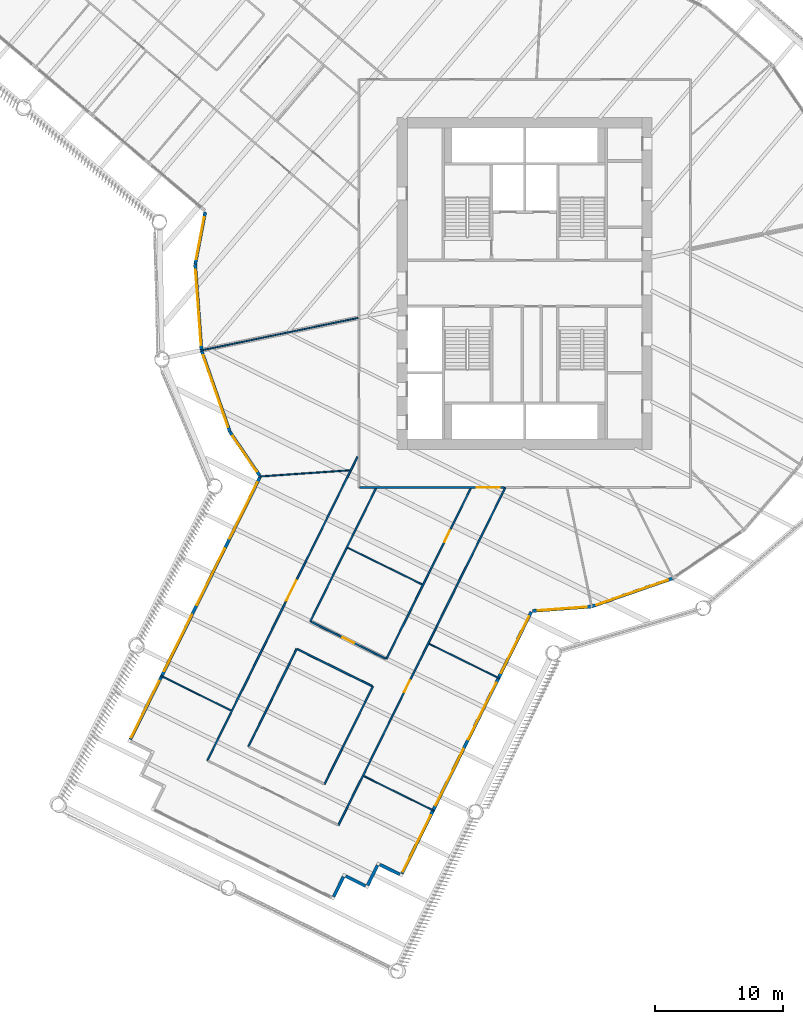
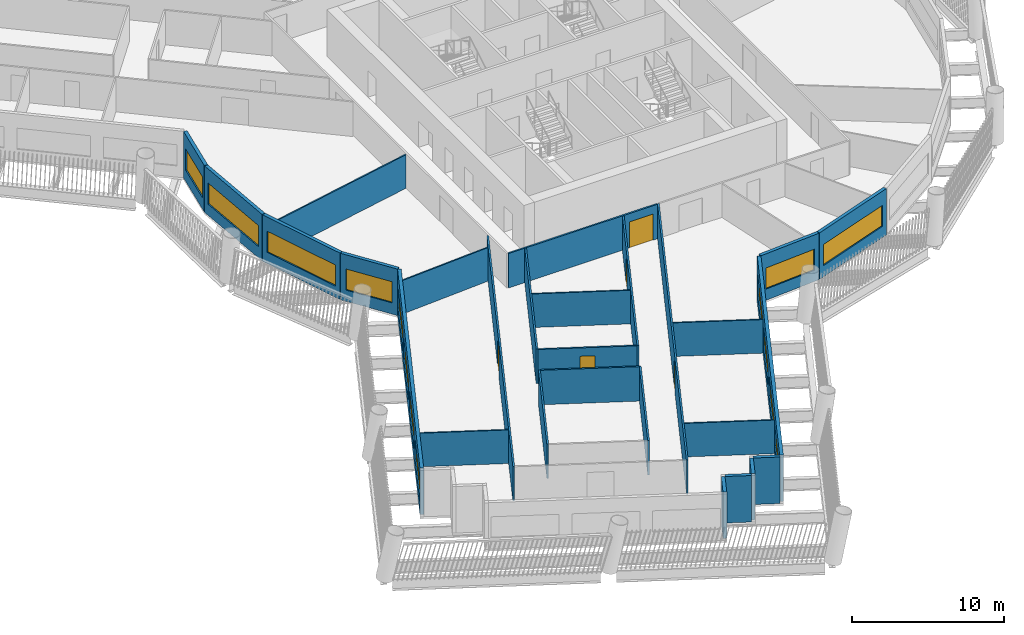
# One storey, part 3 of 16: 27 walls, 14 windows, 5 doors, 19 openings.
"""IFC4 building model written with IfcOpenShell, lengths in metres."""

from ifc_helpers import new_model, si_unit, direction, frame, frame_2d, origin, place, context, subcontext, project, spatial, rectangle, extrude, material, layer, layer_set, type_object, element, fill, save


model = new_model("IFC4")

# Units and contexts
model_context = context("Model", 3, precision=1e-05, world=origin(), true_north=direction((0.0, 1.0)))
body_context = subcontext(model_context, "Body", "Model", "MODEL_VIEW")
ifc_project = project(units=[si_unit("LENGTHUNIT", "METRE"), si_unit("AREAUNIT", "SQUARE_METRE"), si_unit("VOLUMEUNIT", "CUBIC_METRE"), si_unit("PLANEANGLEUNIT", "RADIAN"), si_unit("MASSUNIT", "GRAM", prefix="KILO")], contexts=[model_context])

# Site, building, storey
site_placement = place(None, origin())
site = spatial("IfcSite", under=ifc_project, at=site_placement, CompositionType="ELEMENT")
building_placement = place(site_placement, origin())
building = spatial("IfcBuilding", under=site, at=building_placement, Name="Tarsis Ring Headquarters", CompositionType="ELEMENT")
storey_placement = place(building_placement, frame((0.0, 0.0, 104.5)))
storey = spatial("IfcBuildingStorey", under=building, at=storey_placement, Name="L23", CompositionType="ELEMENT", Elevation=104.5)

# Walls
ifc_material_1 = material(Name="Gypsum board on steel studs", Category="steel")
ifc_layer_1 = layer(ifc_material_1, 0.10009765625)
ifc_layer_set_1 = layer_set([ifc_layer_1], Name="FL partition 100 unrated")
wall_type_1 = type_object("IfcWallType", Name="FL partition 100 unrated", PredefinedType="PARTITIONING", material=ifc_layer_set_1)
wall_1_placement = place(storey_placement, frame((-25.40869140625, -5.261962890625, 0.0), z_axis=(0.0, 0.0, 1.0), x_axis=(0.979220372677, 0.202799067389, 0.0)))
element("IfcWall", 1, at=wall_1_placement, inside=storey, type_object=wall_type_1, Name="Partition PW3", PredefinedType="PARTITIONING", context=body_context, shape_type="SweptSolid", body=[
    extrude(rectangle(XDim=12.60205078125, YDim=0.10009765625, at=frame_2d((6.301025390625, 0.0))), origin(), (0.0, 0.0, 1.0), 2.699951171875),
])
wall_2_placement = place(storey_placement, frame((-20.783447265625, -15.1376953125, 0.0), z_axis=(0.0, 0.0, 1.0), x_axis=(0.997623139767, 0.068906247909, 0.0)))
element("IfcWall", 2, at=wall_2_placement, inside=storey, type_object=wall_type_1, Name="Partition PW3", PredefinedType="PARTITIONING", context=body_context, shape_type="SweptSolid", body=[
    extrude(rectangle(XDim=7.0791015625, YDim=0.10009765625, at=frame_2d((3.53955078125, 0.0))), origin(), (0.0, 0.0, 1.0), 2.699951171875),
])
wall_3_placement = place(storey_placement, frame((-13.875244140625, -20.716796875, 0.0), z_axis=(0.0, 0.0, 1.0), x_axis=(0.896477196492, -0.443089873693, 0.0)))
element("IfcWall", 3, at=wall_3_placement, inside=storey, type_object=wall_type_1, Name="Partition PW3", PredefinedType="PARTITIONING", context=body_context, shape_type="SweptSolid", body=[
    extrude(rectangle(XDim=6.52001953125, YDim=0.10009765625, at=frame_2d((3.260009765625, 0.0))), origin(), (0.0, 0.0, 1.0), 2.699951171875),
])
wall_4_placement = place(storey_placement, frame((-7.489990234375, -28.2451171875, 0.0), z_axis=(0.0, 0.0, 1.0), x_axis=(0.896474033045, -0.443096274049, 0.0)))
element("IfcWall", 4, at=wall_4_placement, inside=storey, type_object=wall_type_1, Name="Partition PW3", PredefinedType="PARTITIONING", context=body_context, shape_type="SweptSolid", body=[
    extrude(rectangle(XDim=6.150146484375, YDim=0.10009765625, at=frame_2d((3.0751953125, 0.0))), origin(), (0.0, 0.0, 1.0), 2.699951171875),
])
for number, where, z_axis, x_axis, name in (
    (5, (-12.6162109375, -38.617431640625, 0.0), (0.0, 0.0, 1.0), (0.896489801309, -0.443064370208, 0.0), "Partition PW3"),
    (6, (-28.52880859375, -30.7529296875, 0.0), (0.0, 0.0, 1.0), (0.896489801309, -0.443064370208, 0.0), "Partition PW3"),
):
    element("IfcWall", number, at=place(storey_placement, frame(where, z_axis=z_axis, x_axis=x_axis)), inside=storey, type_object=wall_type_1, Name=name, PredefinedType="PARTITIONING", context=body_context, shape_type="SweptSolid", body=[
        extrude(rectangle(XDim=6.14990234375, YDim=0.10009765625, at=frame_2d((3.074951171875, 0.0))), origin(), (0.0, 0.0, 1.0), 2.699951171875),
    ])

# Wall, opening, door
ifc_layer_2 = layer(ifc_material_1, 0.125)
ifc_layer_set_2 = layer_set([ifc_layer_2], Name="FL partition 125 EI 60 H2770")
wall_type_2 = type_object("IfcWallType", Name="FL partition 125 EI 60 H2770", PredefinedType="PARTITIONING", material=ifc_layer_set_2)
wall_5_placement = place(storey_placement, frame((-14.60205078125, -42.477294921875, 0.0), z_axis=(0.0, 0.0, 1.0), x_axis=(0.443072368758, 0.896485848211, 0.0)))
wall_5 = element("IfcWall", 7, at=wall_5_placement, inside=storey, type_object=wall_type_2, Name="Partition PW1", PredefinedType="PARTITIONING", context=body_context, shape_type="SweptSolid", body=[
    extrude(rectangle(XDim=29.534423828125, YDim=0.125, at=frame_2d((14.76708984375, 0.0))), origin(), (0.0, 0.0, 1.0), 2.77001953125),
])
opening_1_placement = place(wall_5_placement, frame((11.64990234375, 0.0, 0.0)))
opening_1 = element("IfcOpeningElement", 8, at=opening_1_placement, cuts=wall_5, Name="Opening D23.12", PredefinedType="OPENING", context=body_context, shape_type="SweptSolid", body=[
    extrude(rectangle(XDim=1.0, YDim=2.10009765625, at=frame_2d((0.5, 1.050048828125))), frame((0.0, 0.072509765625, 0.0), z_axis=(0.0, -1.0, 0.0), x_axis=(1.0, 0.0, 0.0)), (0.0, 0.0, 1.0), 0.14501953125),
])
ifc_material_2 = material(Name="Fire-rated timber door leaf in steel frame", Category="steel")
door_type_1 = type_object("IfcDoorType", Name="FL door FD60-1000", OperationType="NOTDEFINED", PredefinedType="DOOR", material=ifc_material_2)
door_1_placement = place(opening_1_placement, origin())
door_1 = element("IfcDoor", 9, at=door_1_placement, inside=storey, type_object=door_type_1, Name="Door D23.12", OperationType="SINGLE_SWING_LEFT", OverallHeight=2.10009765625, OverallWidth=1.0, PredefinedType="DOOR", context=body_context, shape_type="SweptSolid", body=[
    extrude(rectangle(XDim=1.0, YDim=2.10009765625, at=frame_2d((0.5, 1.050048828125))), frame((0.0, 0.02490234375, 0.0), z_axis=(0.0, -1.0, 0.0), x_axis=(1.0, 0.0, 0.0)), (0.0, 0.0, 1.0), 0.050048828125),
])
fill(opening_1, door_1)

wall_6_placement = place(storey_placement, frame((-24.875732421875, -37.399658203125, 0.0), z_axis=(0.0, 0.0, 1.0), x_axis=(0.443076578516, 0.8964837676, 0.0)))
wall_6 = element("IfcWall", 10, at=wall_6_placement, inside=storey, type_object=wall_type_2, Name="Partition PW1", PredefinedType="PARTITIONING", context=body_context, shape_type="SweptSolid", body=[
    extrude(rectangle(XDim=26.563232421875, YDim=0.125, at=frame_2d((13.28173828125, 0.0))), origin(), (0.0, 0.0, 1.0), 2.77001953125),
])
opening_2_placement = place(wall_6_placement, frame((13.960693359375, 0.0, 0.0)))
opening_2 = element("IfcOpeningElement", 11, at=opening_2_placement, cuts=wall_6, Name="Opening D23.14", PredefinedType="OPENING", context=body_context, shape_type="SweptSolid", body=[
    extrude(rectangle(XDim=1.800048828125, YDim=2.10009765625, at=frame_2d((0.89990234375, 1.050048828125))), frame((0.0, 0.072509765625, 0.0), z_axis=(0.0, -1.0, 0.0), x_axis=(1.0, 0.0, 0.0)), (0.0, 0.0, 1.0), 0.14501953125),
])
door_type_2 = type_object("IfcDoorType", Name="FL door FD60-1800", OperationType="DOUBLE_DOOR_SINGLE_SWING", PredefinedType="DOOR", material=ifc_material_2)
door_2_placement = place(opening_2_placement, origin())
door_2 = element("IfcDoor", 12, at=door_2_placement, inside=storey, type_object=door_type_2, Name="Door D23.14", OperationType="DOUBLE_DOOR_SINGLE_SWING", OverallHeight=2.10009765625, OverallWidth=1.800048828125, PredefinedType="DOOR", context=body_context, shape_type="SweptSolid", body=[
    extrude(rectangle(XDim=1.800048828125, YDim=2.10009765625, at=frame_2d((0.89990234375, 1.050048828125))), frame((0.0, 0.02490234375, 0.0), z_axis=(0.0, -1.0, 0.0), x_axis=(1.0, 0.0, 0.0)), (0.0, 0.0, 1.0), 0.050048828125),
])
fill(opening_2, door_2)

wall_7_placement = place(storey_placement, frame((-12.93994140625, -16.0, 0.0), z_axis=(0.0, 0.0, 1.0), x_axis=(1.0, 0.0, 0.0)))
wall_7 = element("IfcWall", 13, at=wall_7_placement, inside=storey, type_object=wall_type_2, Name="Partition PW1", PredefinedType="PARTITIONING", context=body_context, shape_type="SweptSolid", body=[
    extrude(rectangle(XDim=11.3232421875, YDim=0.125, at=frame_2d((5.66162109375, 0.0))), origin(), (0.0, 0.0, 1.0), 2.77001953125),
])
opening_3_placement = place(wall_7_placement, frame((9.185302734375, 0.0, 0.0)))
opening_3 = element("IfcOpeningElement", 14, at=opening_3_placement, cuts=wall_7, Name="Opening D23.23", PredefinedType="OPENING", context=body_context, shape_type="SweptSolid", body=[
    extrude(rectangle(XDim=1.800048828125, YDim=2.10009765625, at=frame_2d((0.89990234375, 1.050048828125))), frame((0.0, 0.072509765625, 0.0), z_axis=(0.0, -1.0, 0.0), x_axis=(1.0, 0.0, 0.0)), (0.0, 0.0, 1.0), 0.14501953125),
])
door_3_placement = place(opening_3_placement, origin())
door_3 = element("IfcDoor", 15, at=door_3_placement, inside=storey, type_object=door_type_2, Name="Door D23.23", OperationType="DOUBLE_DOOR_SINGLE_SWING", OverallHeight=2.10009765625, OverallWidth=1.800048828125, PredefinedType="DOOR", context=body_context, shape_type="SweptSolid", body=[
    extrude(rectangle(XDim=1.800048828125, YDim=2.10009765625, at=frame_2d((0.89990234375, 1.050048828125))), frame((0.0, 0.02490234375, 0.0), z_axis=(0.0, -1.0, 0.0), x_axis=(1.0, 0.0, 0.0)), (0.0, 0.0, 1.0), 0.050048828125),
])
fill(opening_3, door_3)

wall_8_placement = place(storey_placement, frame((-10.83837890625, -29.44580078125, 0.0), z_axis=(0.0, 0.0, 1.0), x_axis=(0.443062296572, 0.896490826142, 0.0)))
wall_8 = element("IfcWall", 16, at=wall_8_placement, inside=storey, type_object=wall_type_2, Name="Partition PW1", PredefinedType="PARTITIONING", context=body_context, shape_type="SweptSolid", body=[
    extrude(rectangle(XDim=14.908203125, YDim=0.125, at=frame_2d((7.4541015625, 0.0))), origin(), (0.0, 0.0, 1.0), 2.77001953125),
])
opening_4_placement = place(wall_8_placement, frame((10.2392578125, 0.0, 0.0)))
opening_4 = element("IfcOpeningElement", 17, at=opening_4_placement, cuts=wall_8, Name="Opening D23.21", PredefinedType="OPENING", context=body_context, shape_type="SweptSolid", body=[
    extrude(rectangle(XDim=1.0, YDim=2.10009765625, at=frame_2d((0.5, 1.050048828125))), frame((0.0, 0.072509765625, 0.0), z_axis=(0.0, -1.0, 0.0), x_axis=(1.0, 0.0, 0.0)), (0.0, 0.0, 1.0), 0.14501953125),
])
door_4_placement = place(opening_4_placement, origin())
door_4 = element("IfcDoor", 18, at=door_4_placement, inside=storey, type_object=door_type_1, Name="Door D23.21", OperationType="SINGLE_SWING_RIGHT", OverallHeight=2.10009765625, OverallWidth=1.0, PredefinedType="DOOR", context=body_context, shape_type="SweptSolid", body=[
    extrude(rectangle(XDim=1.0, YDim=2.10009765625, at=frame_2d((0.5, 1.050048828125))), frame((0.0, 0.02490234375, 0.0), z_axis=(0.0, -1.0, 0.0), x_axis=(1.0, 0.0, 0.0)), (0.0, 0.0, 1.0), 0.050048828125),
])
fill(opening_4, door_4)

# Walls
wall_9_placement = place(storey_placement, frame((-16.80908203125, -26.494873046875, 0.0), z_axis=(0.0, 0.0, 1.0), x_axis=(0.443072739744, 0.896485664858, 0.0)))
element("IfcWall", 19, at=wall_9_placement, inside=storey, type_object=wall_type_2, Name="Partition PW1", PredefinedType="PARTITIONING", context=body_context, shape_type="SweptSolid", body=[
    extrude(rectangle(XDim=11.616455078125, YDim=0.125, at=frame_2d((5.80810546875, 0.0))), origin(), (0.0, 0.0, 1.0), 2.77001953125),
])
wall_10_placement = place(storey_placement, frame((-21.660888671875, -36.3115234375, 0.0), z_axis=(0.0, 0.0, 1.0), x_axis=(0.44307418156, 0.896484952263, 0.0)))
element("IfcWall", 20, at=wall_10_placement, inside=storey, type_object=wall_type_2, Name="Partition PW1", PredefinedType="PARTITIONING", context=body_context, shape_type="SweptSolid", body=[
    extrude(rectangle(XDim=8.550048828125, YDim=0.125, at=frame_2d((4.27490234375, 0.0))), origin(), (0.0, 0.0, 1.0), 2.77001953125),
])
wall_11_placement = place(storey_placement, frame((-15.690185546875, -39.26220703125, 0.0), z_axis=(0.0, 0.0, 1.0), x_axis=(0.443085523776, 0.896479346455, 0.0)))
element("IfcWall", 21, at=wall_11_placement, inside=storey, type_object=wall_type_2, Name="Partition PW1", PredefinedType="PARTITIONING", context=body_context, shape_type="SweptSolid", body=[
    extrude(rectangle(XDim=8.5498046875, YDim=0.125, at=frame_2d((4.27490234375, 0.0))), origin(), (0.0, 0.0, 1.0), 2.77001953125),
])

# Wall, opening, door
wall_12_placement = place(storey_placement, frame((-16.75537109375, -26.521484375, 0.0), z_axis=(0.0, 0.0, 1.0), x_axis=(0.896485722562, -0.443072622989, 0.0)))
wall_12 = element("IfcWall", 22, at=wall_12_placement, inside=storey, type_object=wall_type_2, Name="Partition PW1", PredefinedType="PARTITIONING", context=body_context, shape_type="SweptSolid", body=[
    extrude(rectangle(XDim=6.5400390625, YDim=0.125, at=frame_2d((3.27001953125, 0.0))), origin(), (0.0, 0.0, 1.0), 2.77001953125),
])
opening_5_placement = place(wall_12_placement, frame((2.77001953125, 0.0, 0.0)))
opening_5 = element("IfcOpeningElement", 23, at=opening_5_placement, cuts=wall_12, Name="Opening D23.22", PredefinedType="OPENING", context=body_context, shape_type="SweptSolid", body=[
    extrude(rectangle(XDim=1.0, YDim=2.10009765625, at=frame_2d((0.5, 1.050048828125))), frame((0.0, 0.072509765625, 0.0), z_axis=(0.0, -1.0, 0.0), x_axis=(1.0, 0.0, 0.0)), (0.0, 0.0, 1.0), 0.14501953125),
])
door_5_placement = place(opening_5_placement, origin())
door_5 = element("IfcDoor", 24, at=door_5_placement, inside=storey, type_object=door_type_1, Name="Door D23.22", OperationType="SINGLE_SWING_LEFT", OverallHeight=2.10009765625, OverallWidth=1.0, PredefinedType="DOOR", context=body_context, shape_type="SweptSolid", body=[
    extrude(rectangle(XDim=1.0, YDim=2.10009765625, at=frame_2d((0.5, 1.050048828125))), frame((0.0, 0.02490234375, 0.0), z_axis=(0.0, -1.0, 0.0), x_axis=(1.0, 0.0, 0.0)), (0.0, 0.0, 1.0), 0.050048828125),
])
fill(opening_5, door_5)

# Wall
wall_13_placement = place(storey_placement, frame((-17.818603515625, -28.673095703125, 0.0), z_axis=(0.0, 0.0, 1.0), x_axis=(0.89647839377, -0.443087451306, 0.0)))
element("IfcWall", 25, at=wall_13_placement, inside=storey, type_object=wall_type_2, Name="Partition PW1", PredefinedType="PARTITIONING", context=body_context, shape_type="SweptSolid", body=[
    extrude(rectangle(XDim=6.539794921875, YDim=0.125, at=frame_2d((3.27001953125, 0.0))), origin(), (0.0, 0.0, 1.0), 2.77001953125),
])

# Wall, opening, window
ifc_material_3 = material(Name="Terracotta clad insulated panel wall", Category="masonry")
ifc_layer_3 = layer(ifc_material_3, 0.25)
ifc_layer_set_3 = layer_set([ifc_layer_3], Name="Facade wall terracotta panel 250")
wall_type_3 = type_object("IfcWallType", Name="Facade wall terracotta panel 250", PredefinedType="STANDARD", material=ifc_layer_set_3)
wall_14_placement = place(storey_placement, frame((-25.048828125, 5.58935546875, 0.0), z_axis=(0.0, 0.0, 1.0), x_axis=(-0.187390046147, -0.982285585054, 0.0)))
wall_14 = element("IfcWall", 26, at=wall_14_placement, inside=storey, type_object=wall_type_3, Name="External wall L23-02", PredefinedType="STANDARD", context=body_context, shape_type="SweptSolid", body=[
    extrude(rectangle(XDim=4.157470703125, YDim=0.25, at=frame_2d((2.07861328125, 0.0))), origin(), (0.0, 0.0, 1.0), 3.739990234375),
])
opening_6_placement = place(wall_14_placement, frame((0.420166015625, 0.0, 0.89990234375)))
opening_6 = element("IfcOpeningElement", 27, at=opening_6_placement, cuts=wall_14, Name="Opening WN01", PredefinedType="OPENING", context=body_context, shape_type="SweptSolid", body=[
    extrude(rectangle(XDim=3.35009765625, YDim=1.699951171875, at=frame_2d((1.675048828125, 0.85009765625))), frame((0.0, 0.135009765625, 0.0), z_axis=(0.0, -1.0, 0.0), x_axis=(1.0, 0.0, 0.0)), (0.0, 0.0, 1.0), 0.27001953125),
])
ifc_material_4 = material(Name="Aluminium framed double glazing", Category="aluminium")
window_type_1 = type_object("IfcWindowType", Name="Facade window 3350 x 1700", PartitioningType="SINGLE_PANEL", PredefinedType="WINDOW", material=ifc_material_4)
window_1_placement = place(opening_6_placement, origin())
window_1 = element("IfcWindow", 28, at=window_1_placement, inside=storey, type_object=window_type_1, Name="Window L23-02.1", OverallHeight=1.699951171875, OverallWidth=3.35009765625, PartitioningType="SINGLE_PANEL", PredefinedType="WINDOW", context=body_context, shape_type="SweptSolid", body=[
    extrude(rectangle(XDim=3.35009765625, YDim=1.699951171875, at=frame_2d((1.675048828125, 0.85009765625))), frame((0.0, 0.030029296875, 0.0), z_axis=(0.0, -1.0, 0.0), x_axis=(1.0, 0.0, 0.0)), (0.0, 0.0, 1.0), 0.06005859375),
])
fill(opening_6, window_1)

wall_15_placement = place(storey_placement, frame((-25.829833984375, 1.472900390625, 0.0), z_axis=(0.0, 0.0, 1.0), x_axis=(0.073226779194, -0.997315315639, 0.0)))
wall_15 = element("IfcWall", 29, at=wall_15_placement, inside=storey, type_object=wall_type_3, Name="External wall L23-03", PredefinedType="STANDARD", context=body_context, shape_type="SweptSolid", body=[
    extrude(rectangle(XDim=6.721435546875, YDim=0.25, at=frame_2d((3.36083984375, 0.0))), origin(), (0.0, 0.0, 1.0), 3.739990234375),
])
opening_7_placement = place(wall_15_placement, frame((0.3857421875, 0.0, 0.89990234375)))
opening_7 = element("IfcOpeningElement", 30, at=opening_7_placement, cuts=wall_15, Name="Opening WN07", PredefinedType="OPENING", context=body_context, shape_type="SweptSolid", body=[
    extrude(rectangle(XDim=5.949951171875, YDim=1.699951171875, at=frame_2d((2.97509765625, 0.85009765625))), frame((0.0, 0.135009765625, 0.0), z_axis=(0.0, -1.0, 0.0), x_axis=(1.0, 0.0, 0.0)), (0.0, 0.0, 1.0), 0.27001953125),
])
window_type_2 = type_object("IfcWindowType", Name="Facade window 5950 x 1700", PartitioningType="SINGLE_PANEL", PredefinedType="WINDOW", material=ifc_material_4)
window_2_placement = place(opening_7_placement, origin())
window_2 = element("IfcWindow", 31, at=window_2_placement, inside=storey, type_object=window_type_2, Name="Window L23-03.1", OverallHeight=1.699951171875, OverallWidth=5.949951171875, PartitioningType="SINGLE_PANEL", PredefinedType="WINDOW", context=body_context, shape_type="SweptSolid", body=[
    extrude(rectangle(XDim=5.949951171875, YDim=1.699951171875, at=frame_2d((2.97509765625, 0.85009765625))), frame((0.0, 0.030029296875, 0.0), z_axis=(0.0, -1.0, 0.0), x_axis=(1.0, 0.0, 0.0)), (0.0, 0.0, 1.0), 0.06005859375),
])
fill(opening_7, window_2)

wall_16_placement = place(storey_placement, frame((-25.330810546875, -5.262451171875, 0.0), z_axis=(0.0, 0.0, 1.0), x_axis=(0.3288615303, -0.944378151954, 0.0)))
wall_16 = element("IfcWall", 32, at=wall_16_placement, inside=storey, type_object=wall_type_3, Name="External wall L23-04", PredefinedType="STANDARD", context=body_context, shape_type="SweptSolid", body=[
    extrude(rectangle(XDim=6.721435546875, YDim=0.25, at=frame_2d((3.36083984375, 0.0))), origin(), (0.0, 0.0, 1.0), 3.739990234375),
])
opening_8_placement = place(wall_16_placement, frame((0.3857421875, 0.0, 0.89990234375)))
opening_8 = element("IfcOpeningElement", 33, at=opening_8_placement, cuts=wall_16, Name="Opening WN07", PredefinedType="OPENING", context=body_context, shape_type="SweptSolid", body=[
    extrude(rectangle(XDim=5.949951171875, YDim=1.699951171875, at=frame_2d((2.97509765625, 0.85009765625))), frame((0.0, 0.135009765625, 0.0), z_axis=(0.0, -1.0, 0.0), x_axis=(1.0, 0.0, 0.0)), (0.0, 0.0, 1.0), 0.27001953125),
])
window_3_placement = place(opening_8_placement, origin())
window_3 = element("IfcWindow", 34, at=window_3_placement, inside=storey, type_object=window_type_2, Name="Window L23-04.1", OverallHeight=1.699951171875, OverallWidth=5.949951171875, PartitioningType="SINGLE_PANEL", PredefinedType="WINDOW", context=body_context, shape_type="SweptSolid", body=[
    extrude(rectangle(XDim=5.949951171875, YDim=1.699951171875, at=frame_2d((2.97509765625, 0.85009765625))), frame((0.0, 0.030029296875, 0.0), z_axis=(0.0, -1.0, 0.0), x_axis=(1.0, 0.0, 0.0)), (0.0, 0.0, 1.0), 0.06005859375),
])
fill(opening_8, window_3)

wall_17_placement = place(storey_placement, frame((-23.105712890625, -11.63916015625, 0.0), z_axis=(0.0, 0.0, 1.0), x_axis=(0.562077106864, -0.827084835999, 0.0)))
wall_17 = element("IfcWall", 35, at=wall_17_placement, inside=storey, type_object=wall_type_3, Name="External wall L23-05", PredefinedType="STANDARD", context=body_context, shape_type="SweptSolid", body=[
    extrude(rectangle(XDim=4.15771484375, YDim=0.25, at=frame_2d((2.078857421875, 0.0))), origin(), (0.0, 0.0, 1.0), 3.739990234375),
])
opening_9_placement = place(wall_17_placement, frame((0.38720703125, 0.0, 0.89990234375)))
opening_9 = element("IfcOpeningElement", 36, at=opening_9_placement, cuts=wall_17, Name="Opening WN01", PredefinedType="OPENING", context=body_context, shape_type="SweptSolid", body=[
    extrude(rectangle(XDim=3.35009765625, YDim=1.699951171875, at=frame_2d((1.675048828125, 0.85009765625))), frame((0.0, 0.135009765625, 0.0), z_axis=(0.0, -1.0, 0.0), x_axis=(1.0, 0.0, 0.0)), (0.0, 0.0, 1.0), 0.27001953125),
])
window_4_placement = place(opening_9_placement, origin())
window_4 = element("IfcWindow", 37, at=window_4_placement, inside=storey, type_object=window_type_1, Name="Window L23-05.1", OverallHeight=1.699951171875, OverallWidth=3.35009765625, PartitioningType="SINGLE_PANEL", PredefinedType="WINDOW", context=body_context, shape_type="SweptSolid", body=[
    extrude(rectangle(XDim=3.35009765625, YDim=1.699951171875, at=frame_2d((1.675048828125, 0.85009765625))), frame((0.0, 0.030029296875, 0.0), z_axis=(0.0, -1.0, 0.0), x_axis=(1.0, 0.0, 0.0)), (0.0, 0.0, 1.0), 0.06005859375),
])
fill(opening_9, window_4)

# Wall, openings, windows
wall_18_placement = place(storey_placement, frame((-20.76025390625, -15.20361328125, 0.0), z_axis=(0.0, 0.0, 1.0), x_axis=(-0.443071954294, -0.896486053053, 0.0)))
wall_18 = element("IfcWall", 38, at=wall_18_placement, inside=storey, type_object=wall_type_3, Name="External wall L23-06", PredefinedType="STANDARD", context=body_context, shape_type="SweptSolid", body=[
    extrude(rectangle(XDim=22.921875, YDim=0.25, at=frame_2d((11.4609375, 0.0))), origin(), (0.0, 0.0, 1.0), 3.739990234375),
])
opening_10_placement = place(wall_18_placement, frame((0.42138671875, 0.0, 0.89990234375)))
opening_10 = element("IfcOpeningElement", 39, at=opening_10_placement, cuts=wall_18, Name="Opening WN05", PredefinedType="OPENING", context=body_context, shape_type="SweptSolid", body=[
    extrude(rectangle(XDim=4.949951171875, YDim=1.699951171875, at=frame_2d((2.47509765625, 0.85009765625))), frame((0.0, 0.135009765625, 0.0), z_axis=(0.0, -1.0, 0.0), x_axis=(1.0, 0.0, 0.0)), (0.0, 0.0, 1.0), 0.27001953125),
])
opening_11_placement = place(wall_18_placement, frame((6.214599609375, 0.0, 0.89990234375)))
opening_11 = element("IfcOpeningElement", 40, at=opening_11_placement, cuts=wall_18, Name="Opening WN05", PredefinedType="OPENING", context=body_context, shape_type="SweptSolid", body=[
    extrude(rectangle(XDim=4.949951171875, YDim=1.699951171875, at=frame_2d((2.47509765625, 0.85009765625))), frame((0.0, 0.135009765625, 0.0), z_axis=(0.0, -1.0, 0.0), x_axis=(1.0, 0.0, 0.0)), (0.0, 0.0, 1.0), 0.27001953125),
])
opening_12_placement = place(wall_18_placement, frame((12.007568359375, 0.0, 0.89990234375)))
opening_12 = element("IfcOpeningElement", 41, at=opening_12_placement, cuts=wall_18, Name="Opening WN05", PredefinedType="OPENING", context=body_context, shape_type="SweptSolid", body=[
    extrude(rectangle(XDim=4.949951171875, YDim=1.699951171875, at=frame_2d((2.47509765625, 0.85009765625))), frame((0.0, 0.135009765625, 0.0), z_axis=(0.0, -1.0, 0.0), x_axis=(1.0, 0.0, 0.0)), (0.0, 0.0, 1.0), 0.27001953125),
])
opening_13_placement = place(wall_18_placement, frame((17.800537109375, 0.0, 0.89990234375)))
opening_13 = element("IfcOpeningElement", 42, at=opening_13_placement, cuts=wall_18, Name="Opening WN05", PredefinedType="OPENING", context=body_context, shape_type="SweptSolid", body=[
    extrude(rectangle(XDim=4.949951171875, YDim=1.699951171875, at=frame_2d((2.47509765625, 0.85009765625))), frame((0.0, 0.135009765625, 0.0), z_axis=(0.0, -1.0, 0.0), x_axis=(1.0, 0.0, 0.0)), (0.0, 0.0, 1.0), 0.27001953125),
])
window_type_3 = type_object("IfcWindowType", Name="Facade window 4950 x 1700", PartitioningType="SINGLE_PANEL", PredefinedType="WINDOW", material=ifc_material_4)
window_5_placement = place(opening_10_placement, origin())
window_5 = element("IfcWindow", 43, at=window_5_placement, inside=storey, type_object=window_type_3, Name="Window L23-06.1", OverallHeight=1.699951171875, OverallWidth=4.949951171875, PartitioningType="SINGLE_PANEL", PredefinedType="WINDOW", context=body_context, shape_type="SweptSolid", body=[
    extrude(rectangle(XDim=4.949951171875, YDim=1.699951171875, at=frame_2d((2.47509765625, 0.85009765625))), frame((0.0, 0.030029296875, 0.0), z_axis=(0.0, -1.0, 0.0), x_axis=(1.0, 0.0, 0.0)), (0.0, 0.0, 1.0), 0.06005859375),
])
fill(opening_10, window_5)
window_6_placement = place(opening_11_placement, origin())
window_6 = element("IfcWindow", 44, at=window_6_placement, inside=storey, type_object=window_type_3, Name="Window L23-06.2", OverallHeight=1.699951171875, OverallWidth=4.949951171875, PartitioningType="SINGLE_PANEL", PredefinedType="WINDOW", context=body_context, shape_type="SweptSolid", body=[
    extrude(rectangle(XDim=4.949951171875, YDim=1.699951171875, at=frame_2d((2.47509765625, 0.85009765625))), frame((0.0, 0.030029296875, 0.0), z_axis=(0.0, -1.0, 0.0), x_axis=(1.0, 0.0, 0.0)), (0.0, 0.0, 1.0), 0.06005859375),
])
fill(opening_11, window_6)
window_7_placement = place(opening_12_placement, origin())
window_7 = element("IfcWindow", 45, at=window_7_placement, inside=storey, type_object=window_type_3, Name="Window L23-06.3", OverallHeight=1.699951171875, OverallWidth=4.949951171875, PartitioningType="SINGLE_PANEL", PredefinedType="WINDOW", context=body_context, shape_type="SweptSolid", body=[
    extrude(rectangle(XDim=4.949951171875, YDim=1.699951171875, at=frame_2d((2.47509765625, 0.85009765625))), frame((0.0, 0.030029296875, 0.0), z_axis=(0.0, -1.0, 0.0), x_axis=(1.0, 0.0, 0.0)), (0.0, 0.0, 1.0), 0.06005859375),
])
fill(opening_12, window_7)
window_8_placement = place(opening_13_placement, origin())
window_8 = element("IfcWindow", 46, at=window_8_placement, inside=storey, type_object=window_type_3, Name="Window L23-06.4", OverallHeight=1.699951171875, OverallWidth=4.949951171875, PartitioningType="SINGLE_PANEL", PredefinedType="WINDOW", context=body_context, shape_type="SweptSolid", body=[
    extrude(rectangle(XDim=4.949951171875, YDim=1.699951171875, at=frame_2d((2.47509765625, 0.85009765625))), frame((0.0, 0.030029296875, 0.0), z_axis=(0.0, -1.0, 0.0), x_axis=(1.0, 0.0, 0.0)), (0.0, 0.0, 1.0), 0.06005859375),
])
fill(opening_13, window_8)

# Walls
for number, where, z_axis, x_axis, name in (
    (47, (-14.98291015625, -48.08935546875, 0.0), (0.0, 0.0, 1.0), (0.44307937406, 0.89648238593, 0.0), "External wall L23-12"),
    (48, (-14.0400390625, -46.4638671875, 0.0), (0.0, 0.0, 1.0), (0.89648238593, -0.44307937406, 0.0), "External wall L23-13"),
    (49, (-12.303955078125, -47.1826171875, 0.0), (0.0, 0.0, 1.0), (0.44307937406, 0.89648238593, 0.0), "External wall L23-14"),
    (50, (-11.361083984375, -45.55712890625, 0.0), (0.0, 0.0, 1.0), (0.89648238593, -0.44307937406, 0.0), "External wall L23-15"),
):
    element("IfcWall", number, at=place(storey_placement, frame(where, z_axis=z_axis, x_axis=x_axis)), inside=storey, type_object=wall_type_3, Name=name, PredefinedType="STANDARD", context=body_context, shape_type="SweptSolid", body=[
        extrude(rectangle(XDim=1.75, YDim=0.25, at=frame_2d((0.875, 0.0))), origin(), (0.0, 0.0, 1.0), 3.739990234375),
    ])

# Wall, openings, windows
wall_19_placement = place(storey_placement, frame((-9.624755859375, -46.275634765625, 0.0), z_axis=(0.0, 0.0, 1.0), x_axis=(0.443076766139, 0.89648367487, 0.0)))
wall_19 = element("IfcWall", 51, at=wall_19_placement, inside=storey, type_object=wall_type_3, Name="External wall L23-16", PredefinedType="STANDARD", context=body_context, shape_type="SweptSolid", body=[
    extrude(rectangle(XDim=22.901123046875, YDim=0.25, at=frame_2d((11.45068359375, 0.0))), origin(), (0.0, 0.0, 1.0), 3.739990234375),
])
opening_14_placement = place(wall_19_placement, frame((0.1689453125, 0.0, 0.89990234375)))
opening_14 = element("IfcOpeningElement", 52, at=opening_14_placement, cuts=wall_19, Name="Opening WN05", PredefinedType="OPENING", context=body_context, shape_type="SweptSolid", body=[
    extrude(rectangle(XDim=4.949951171875, YDim=1.699951171875, at=frame_2d((2.47509765625, 0.85009765625))), frame((0.0, 0.135009765625, 0.0), z_axis=(0.0, -1.0, 0.0), x_axis=(1.0, 0.0, 0.0)), (0.0, 0.0, 1.0), 0.27001953125),
])
opening_15_placement = place(wall_19_placement, frame((5.956787109375, 0.0, 0.89990234375)))
opening_15 = element("IfcOpeningElement", 53, at=opening_15_placement, cuts=wall_19, Name="Opening WN05", PredefinedType="OPENING", context=body_context, shape_type="SweptSolid", body=[
    extrude(rectangle(XDim=4.949951171875, YDim=1.699951171875, at=frame_2d((2.47509765625, 0.85009765625))), frame((0.0, 0.135009765625, 0.0), z_axis=(0.0, -1.0, 0.0), x_axis=(1.0, 0.0, 0.0)), (0.0, 0.0, 1.0), 0.27001953125),
])
opening_16_placement = place(wall_19_placement, frame((11.74462890625, 0.0, 0.89990234375)))
opening_16 = element("IfcOpeningElement", 54, at=opening_16_placement, cuts=wall_19, Name="Opening WN05", PredefinedType="OPENING", context=body_context, shape_type="SweptSolid", body=[
    extrude(rectangle(XDim=4.949951171875, YDim=1.699951171875, at=frame_2d((2.47509765625, 0.85009765625))), frame((0.0, 0.135009765625, 0.0), z_axis=(0.0, -1.0, 0.0), x_axis=(1.0, 0.0, 0.0)), (0.0, 0.0, 1.0), 0.27001953125),
])
opening_17_placement = place(wall_19_placement, frame((17.532470703125, 0.0, 0.89990234375)))
opening_17 = element("IfcOpeningElement", 55, at=opening_17_placement, cuts=wall_19, Name="Opening WN05", PredefinedType="OPENING", context=body_context, shape_type="SweptSolid", body=[
    extrude(rectangle(XDim=4.949951171875, YDim=1.699951171875, at=frame_2d((2.47509765625, 0.85009765625))), frame((0.0, 0.135009765625, 0.0), z_axis=(0.0, -1.0, 0.0), x_axis=(1.0, 0.0, 0.0)), (0.0, 0.0, 1.0), 0.27001953125),
])
window_9_placement = place(opening_14_placement, origin())
window_9 = element("IfcWindow", 56, at=window_9_placement, inside=storey, type_object=window_type_3, Name="Window L23-16.1", OverallHeight=1.699951171875, OverallWidth=4.949951171875, PartitioningType="SINGLE_PANEL", PredefinedType="WINDOW", context=body_context, shape_type="SweptSolid", body=[
    extrude(rectangle(XDim=4.949951171875, YDim=1.699951171875, at=frame_2d((2.47509765625, 0.85009765625))), frame((0.0, 0.030029296875, 0.0), z_axis=(0.0, -1.0, 0.0), x_axis=(1.0, 0.0, 0.0)), (0.0, 0.0, 1.0), 0.06005859375),
])
fill(opening_14, window_9)
window_10_placement = place(opening_15_placement, origin())
window_10 = element("IfcWindow", 57, at=window_10_placement, inside=storey, type_object=window_type_3, Name="Window L23-16.2", OverallHeight=1.699951171875, OverallWidth=4.949951171875, PartitioningType="SINGLE_PANEL", PredefinedType="WINDOW", context=body_context, shape_type="SweptSolid", body=[
    extrude(rectangle(XDim=4.949951171875, YDim=1.699951171875, at=frame_2d((2.47509765625, 0.85009765625))), frame((0.0, 0.030029296875, 0.0), z_axis=(0.0, -1.0, 0.0), x_axis=(1.0, 0.0, 0.0)), (0.0, 0.0, 1.0), 0.06005859375),
])
fill(opening_15, window_10)
window_11_placement = place(opening_16_placement, origin())
window_11 = element("IfcWindow", 58, at=window_11_placement, inside=storey, type_object=window_type_3, Name="Window L23-16.3", OverallHeight=1.699951171875, OverallWidth=4.949951171875, PartitioningType="SINGLE_PANEL", PredefinedType="WINDOW", context=body_context, shape_type="SweptSolid", body=[
    extrude(rectangle(XDim=4.949951171875, YDim=1.699951171875, at=frame_2d((2.47509765625, 0.85009765625))), frame((0.0, 0.030029296875, 0.0), z_axis=(0.0, -1.0, 0.0), x_axis=(1.0, 0.0, 0.0)), (0.0, 0.0, 1.0), 0.06005859375),
])
fill(opening_16, window_11)
window_12_placement = place(opening_17_placement, origin())
window_12 = element("IfcWindow", 59, at=window_12_placement, inside=storey, type_object=window_type_3, Name="Window L23-16.4", OverallHeight=1.699951171875, OverallWidth=4.949951171875, PartitioningType="SINGLE_PANEL", PredefinedType="WINDOW", context=body_context, shape_type="SweptSolid", body=[
    extrude(rectangle(XDim=4.949951171875, YDim=1.699951171875, at=frame_2d((2.47509765625, 0.85009765625))), frame((0.0, 0.030029296875, 0.0), z_axis=(0.0, -1.0, 0.0), x_axis=(1.0, 0.0, 0.0)), (0.0, 0.0, 1.0), 0.06005859375),
])
fill(opening_17, window_12)

# Wall, opening, window
wall_20_placement = place(storey_placement, frame((0.625, -25.67578125, 0.0), z_axis=(0.0, 0.0, 1.0), x_axis=(0.997315579859, 0.073223180561, 0.0)))
wall_20 = element("IfcWall", 60, at=wall_20_placement, inside=storey, type_object=wall_type_3, Name="External wall L23-17", PredefinedType="STANDARD", context=body_context, shape_type="SweptSolid", body=[
    extrude(rectangle(XDim=4.617919921875, YDim=0.25, at=frame_2d((2.30908203125, 0.0))), origin(), (0.0, 0.0, 1.0), 3.739990234375),
])
opening_18_placement = place(wall_20_placement, frame((0.400390625, 0.0, 0.89990234375)))
opening_18 = element("IfcOpeningElement", 61, at=opening_18_placement, cuts=wall_20, Name="Opening WN02", PredefinedType="OPENING", context=body_context, shape_type="SweptSolid", body=[
    extrude(rectangle(XDim=3.85009765625, YDim=1.699951171875, at=frame_2d((1.925048828125, 0.85009765625))), frame((0.0, 0.135009765625, 0.0), z_axis=(0.0, -1.0, 0.0), x_axis=(1.0, 0.0, 0.0)), (0.0, 0.0, 1.0), 0.27001953125),
])
window_type_4 = type_object("IfcWindowType", Name="Facade window 3850 x 1700", PartitioningType="SINGLE_PANEL", PredefinedType="WINDOW", material=ifc_material_4)
window_13_placement = place(opening_18_placement, origin())
window_13 = element("IfcWindow", 62, at=window_13_placement, inside=storey, type_object=window_type_4, Name="Window L23-17.1", OverallHeight=1.699951171875, OverallWidth=3.85009765625, PartitioningType="SINGLE_PANEL", PredefinedType="WINDOW", context=body_context, shape_type="SweptSolid", body=[
    extrude(rectangle(XDim=3.85009765625, YDim=1.699951171875, at=frame_2d((1.925048828125, 0.85009765625))), frame((0.0, 0.030029296875, 0.0), z_axis=(0.0, -1.0, 0.0), x_axis=(1.0, 0.0, 0.0)), (0.0, 0.0, 1.0), 0.06005859375),
])
fill(opening_18, window_13)

wall_21_placement = place(storey_placement, frame((5.262451171875, -25.330810546875, 0.0), z_axis=(0.0, 0.0, 1.0), x_axis=(0.944378151954, 0.3288615303, 0.0)))
wall_21 = element("IfcWall", 63, at=wall_21_placement, inside=storey, type_object=wall_type_3, Name="External wall L23-18", PredefinedType="STANDARD", context=body_context, shape_type="SweptSolid", body=[
    extrude(rectangle(XDim=6.721435546875, YDim=0.25, at=frame_2d((3.36083984375, 0.0))), origin(), (0.0, 0.0, 1.0), 3.739990234375),
])
opening_19_placement = place(wall_21_placement, frame((0.3857421875, 0.0, 0.89990234375)))
opening_19 = element("IfcOpeningElement", 64, at=opening_19_placement, cuts=wall_21, Name="Opening WN07", PredefinedType="OPENING", context=body_context, shape_type="SweptSolid", body=[
    extrude(rectangle(XDim=5.949951171875, YDim=1.699951171875, at=frame_2d((2.97509765625, 0.85009765625))), frame((0.0, 0.135009765625, 0.0), z_axis=(0.0, -1.0, 0.0), x_axis=(1.0, 0.0, 0.0)), (0.0, 0.0, 1.0), 0.27001953125),
])
window_14_placement = place(opening_19_placement, origin())
window_14 = element("IfcWindow", 65, at=window_14_placement, inside=storey, type_object=window_type_2, Name="Window L23-18.1", OverallHeight=1.699951171875, OverallWidth=5.949951171875, PartitioningType="SINGLE_PANEL", PredefinedType="WINDOW", context=body_context, shape_type="SweptSolid", body=[
    extrude(rectangle(XDim=5.949951171875, YDim=1.699951171875, at=frame_2d((2.97509765625, 0.85009765625))), frame((0.0, 0.030029296875, 0.0), z_axis=(0.0, -1.0, 0.0), x_axis=(1.0, 0.0, 0.0)), (0.0, 0.0, 1.0), 0.06005859375),
])
fill(opening_19, window_14)

save(model, "model.ifc")
